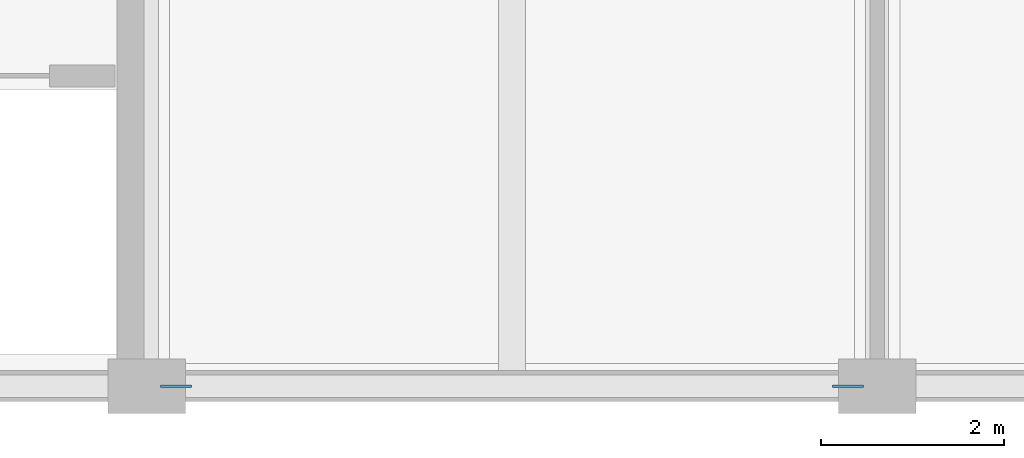
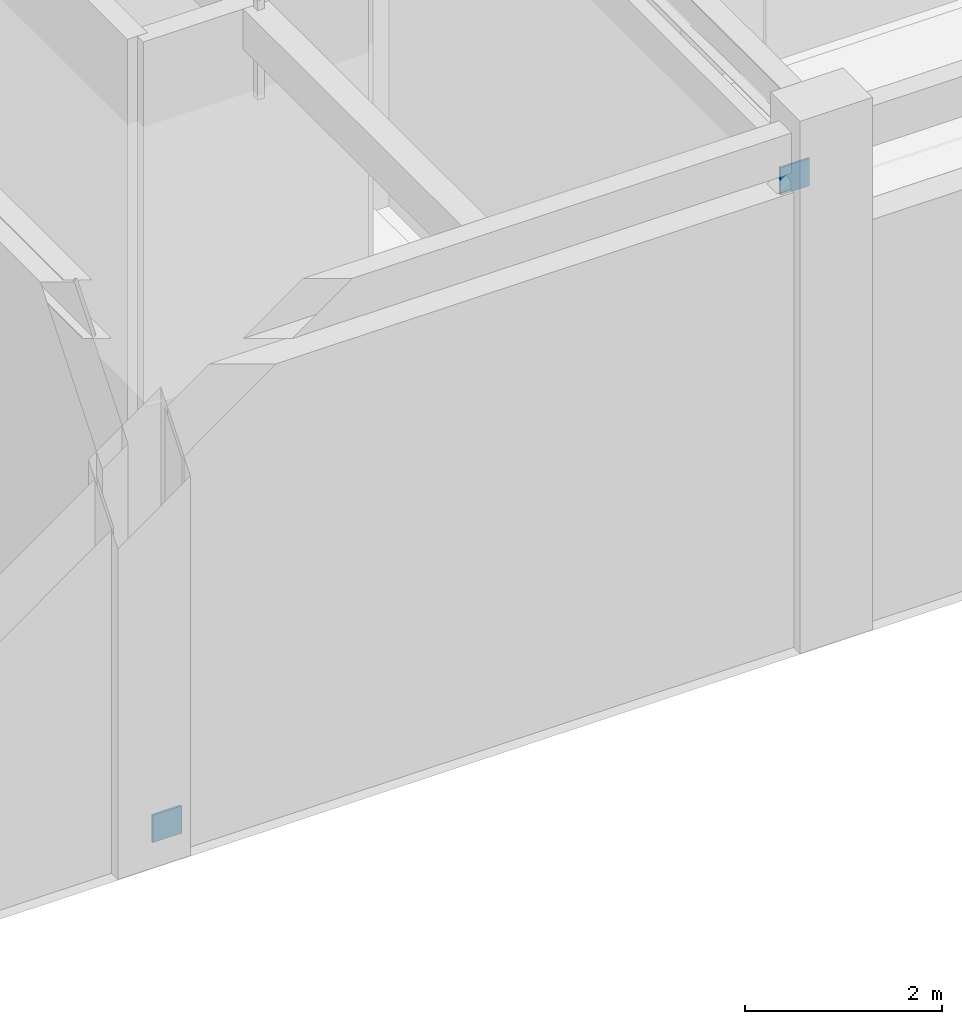
# One storey, part 120 of 163: 2 plates.
"""IFC4 building model written with IfcOpenShell, lengths in metres."""

from ifc_helpers import new_model, si_unit, direction, frame, origin, origin_2d, place, context, subcontext, project, spatial, rectangle, extrude, material, layer, layer_set, type_object, element, save


model = new_model("IFC4")

# Units and contexts
model_context = context("Model", 3, precision=1e-05, world=origin(), true_north=direction((0.0, 1.0)))
body_context = subcontext(model_context, "Body", "Model", "MODEL_VIEW")
ifc_project = project(units=[si_unit("LENGTHUNIT", "METRE"), si_unit("AREAUNIT", "SQUARE_METRE"), si_unit("VOLUMEUNIT", "CUBIC_METRE"), si_unit("PLANEANGLEUNIT", "RADIAN"), si_unit("MASSUNIT", "GRAM", prefix="KILO")], contexts=[model_context])

# Site, building, storey
site_placement = place(None, origin())
site = spatial("IfcSite", under=ifc_project, at=site_placement, CompositionType="ELEMENT")
building_placement = place(site_placement, origin())
building = spatial("IfcBuilding", under=site, at=building_placement, Name="Varnabhumi Central Station", CompositionType="ELEMENT")
storey_placement = place(building_placement, frame((0.0, 0.0, 9.60009765625)))
storey = spatial("IfcBuildingStorey", under=building, at=storey_placement, Name="L02", CompositionType="ELEMENT", Elevation=9.60009765625)

# Plates
ifc_material = material(Name="Structural steel E350", Category="steel")
ifc_layer = layer(ifc_material, 0.031982421875, Name="Structural steel E350", Category="steel")
ifc_layer_set = layer_set([ifc_layer], Name="Structural steel E350")
plate_type = type_object("IfcPlateType", Name="PLT-GUSSET-A", PredefinedType="USERDEFINED", material=ifc_layer_set)
for number, where, z_axis, x_axis, name in (
    (1, (48.320068359375, 0.0, 0.080078125), (0.0, 0.0, 1.0), (1.0, 0.0, 0.0), "Lateral Brace End Gusset WB-3-B"),
    (2, (55.679931640625, 0.0, 5.52978515625), (0.0, 0.0, 1.0), (1.0, 0.0, 0.0), "Lateral Brace End Gusset WB-3-T"),
):
    element("IfcPlate", number, at=place(storey_placement, frame(where, z_axis=z_axis, x_axis=x_axis)), inside=storey, type_object=plate_type, Name=name, ObjectType="GUSSET PLATE", PredefinedType="USERDEFINED", context=body_context, shape_type="SweptSolid", body=[
        extrude(rectangle(XDim=0.340087890625, YDim=0.02490234375, at=origin_2d()), origin(), (0.0, 0.0, 1.0), 0.340087890625),
    ])

save(model, "model.ifc")
